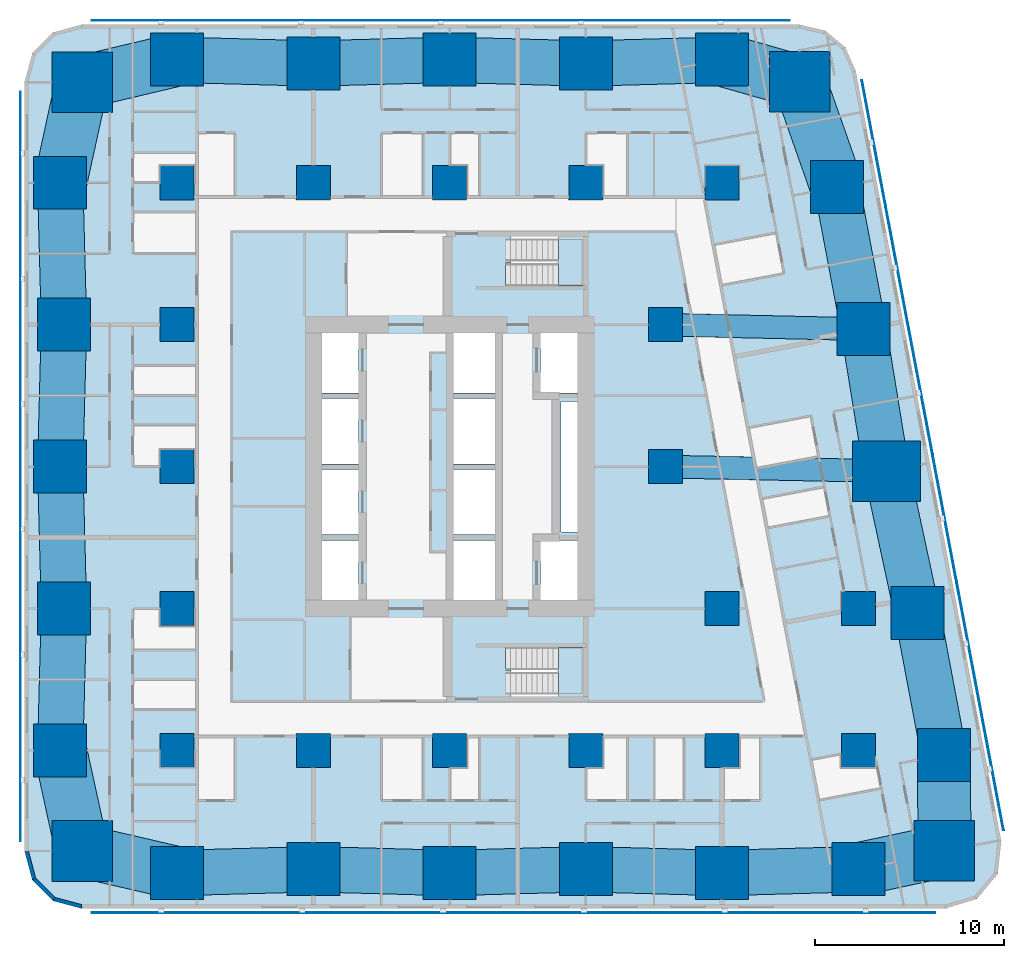
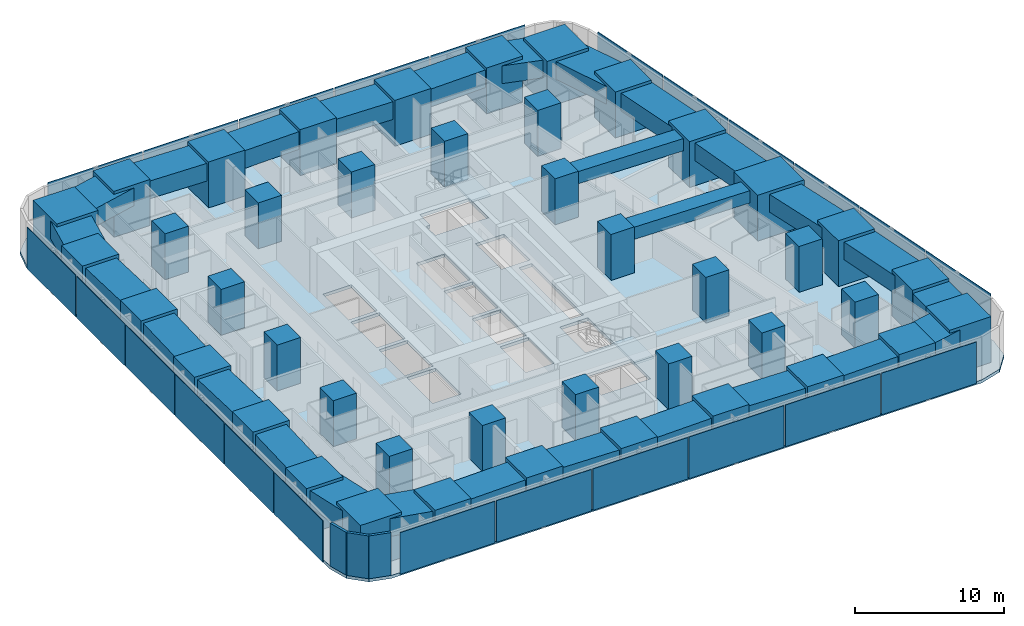
# One storey, part 1 of 18: 43 columns, 27 beams, 23 plates, 3 slabs, 3 walls, 2 elements without a shape of their own.
"""IFC4 building model written with IfcOpenShell, lengths in metres."""

from ifc_helpers import new_model, si_unit, direction, frame, frame_2d, origin, origin_2d, place, context, subcontext, project, spatial, polyline, rectangle, outline, extrude, material, layer, layer_set, material_profile, profile_set, type_object, element, aggregate, save


model = new_model("IFC4")

# Units and contexts
model_context = context("Model", 3, precision=1e-05, world=origin(), true_north=direction((0.0, 1.0)))
body_context = subcontext(model_context, "Body", "Model", "MODEL_VIEW")
ifc_project = project(units=[si_unit("LENGTHUNIT", "METRE"), si_unit("AREAUNIT", "SQUARE_METRE"), si_unit("VOLUMEUNIT", "CUBIC_METRE"), si_unit("PLANEANGLEUNIT", "RADIAN"), si_unit("MASSUNIT", "GRAM", prefix="KILO")], contexts=[model_context])

# Site, building, storey
site_placement = place(None, origin())
site = spatial("IfcSite", under=ifc_project, at=site_placement, CompositionType="ELEMENT")
building_placement = place(site_placement, origin())
building = spatial("IfcBuilding", under=site, at=building_placement, Name="Sheger Commons Tower", CompositionType="ELEMENT")
storey_placement = place(building_placement, frame((0.0, 0.0, 38.75)))
storey = spatial("IfcBuildingStorey", under=building, at=storey_placement, Name="L09", CompositionType="ELEMENT", Elevation=38.75)

# Columns
ifc_material_1 = material(Name="Concrete C50/60", Category="concrete")
ifc_material_profile_1 = material_profile(ifc_material_1, rectangle(XDim=3.60009765625, YDim=3.199951171875, at=origin_2d()), Name="RC 3600x3200")
ifc_profile_set_1 = profile_set([ifc_material_profile_1], Name="Concrete C50/60")
column_type_1 = type_object("IfcColumnType", Name="COLUMN PIER RC 3600x3200", PredefinedType="COLUMN", material=ifc_profile_set_1)
column_placement = place(storey_placement, frame((44.697021484375, 22.262939453125, 0.0), z_axis=(0.0, 0.0, 1.0), x_axis=(1.0, 0.0, 0.0)))
element("IfcColumn", 1, at=column_placement, inside=storey, type_object=column_type_1, Name="Pier 7/D+E/D L09", PredefinedType="COLUMN", context=body_context, shape_type="SweptSolid", body=[
    extrude(rectangle(XDim=3.60009765625, YDim=3.199951171875, at=origin_2d()), origin(), (0.0, 0.0, 1.0), 3.75),
])
ifc_material_2 = material(Name="Concrete C50/60", Category="concrete")
ifc_material_profile_2 = material_profile(ifc_material_2, rectangle(XDim=1.800048828125, YDim=1.800048828125, at=origin_2d()), Name="RC 1800x1800")
ifc_profile_set_2 = profile_set([ifc_material_profile_2], Name="Concrete C50/60")
column_type_2 = type_object("IfcColumnType", Name="COLUMN RC 1800x1800", PredefinedType="COLUMN", material=ifc_profile_set_2)
for number, where, z_axis, x_axis, name in (
    (2, (7.199951171875, 7.5, 0.0), (0.0, 0.0, 1.0), (1.0, 0.0, 0.0), "Column 2/B L09"),
    (3, (14.39990234375, 7.5, 0.0), (0.0, 0.0, 1.0), (1.0, 0.0, 0.0), "Column 3/B L09"),
    (4, (21.60009765625, 7.5, 0.0), (0.0, 0.0, 1.0), (1.0, 0.0, 0.0), "Column 4/B L09"),
    (5, (28.800048828125, 7.5, 0.0), (0.0, 0.0, 1.0), (1.0, 0.0, 0.0), "Column 5/B L09"),
    (6, (36.0, 7.5, 0.0), (0.0, 0.0, 1.0), (1.0, 0.0, 0.0), "Column 6/B L09"),
    (7, (43.199951171875, 7.5, 0.0), (0.0, 0.0, 1.0), (1.0, 0.0, 0.0), "Column 7/B L09"),
    (8, (7.199951171875, 15.0, 0.0), (0.0, 0.0, 1.0), (1.0, 0.0, 0.0), "Column 2/C L09"),
    (9, (36.0, 15.0, 0.0), (0.0, 0.0, 1.0), (1.0, 0.0, 0.0), "Column 6/C L09"),
    (10, (43.199951171875, 15.0, 0.0), (0.0, 0.0, 1.0), (1.0, 0.0, 0.0), "Column 7/C L09"),
    (11, (7.199951171875, 22.5, 0.0), (0.0, 0.0, 1.0), (1.0, 0.0, 0.0), "Column 2/D L09"),
    (12, (33.0, 22.5, 0.0), (0.0, 0.0, 1.0), (1.0, 0.0, 0.0), "Column 6-3000/D L09"),
    (13, (7.199951171875, 30.0, 0.0), (0.0, 0.0, 1.0), (1.0, 0.0, 0.0), "Column 2/E L09"),
    (14, (33.0, 30.0, 0.0), (0.0, 0.0, 1.0), (1.0, 0.0, 0.0), "Column 6-3000/E L09"),
    (15, (7.199951171875, 37.5, 0.0), (0.0, 0.0, 1.0), (1.0, 0.0, 0.0), "Column 2/F L09"),
    (16, (14.39990234375, 37.5, 0.0), (0.0, 0.0, 1.0), (1.0, 0.0, 0.0), "Column 3/F L09"),
    (17, (21.60009765625, 37.5, 0.0), (0.0, 0.0, 1.0), (1.0, 0.0, 0.0), "Column 4/F L09"),
    (18, (28.800048828125, 37.5, 0.0), (0.0, 0.0, 1.0), (1.0, 0.0, 0.0), "Column 5/F L09"),
    (19, (36.0, 37.5, 0.0), (0.0, 0.0, 1.0), (1.0, 0.0, 0.0), "Column 6/F L09"),
):
    element("IfcColumn", number, at=place(storey_placement, frame(where, z_axis=z_axis, x_axis=x_axis)), inside=storey, type_object=column_type_2, Name=name, PredefinedType="COLUMN", context=body_context, shape_type="SweptSolid", body=[
        extrude(rectangle(XDim=1.800048828125, YDim=1.800048828125, at=origin_2d()), origin(), (0.0, 0.0, 1.0), 3.75),
    ])
ifc_material_3 = material(Name="Concrete C50/60", Category="concrete")
ifc_material_profile_3 = material_profile(ifc_material_3, rectangle(XDim=2.800048828125, YDim=2.800048828125, at=origin_2d()), Name="RC 2800x2800")
ifc_profile_set_3 = profile_set([ifc_material_profile_3], Name="Concrete C50/60")
column_type_3 = type_object("IfcColumnType", Name="COLUMN RC 2800x2800", PredefinedType="COLUMN", material=ifc_profile_set_3)
for number, where, z_axis, x_axis, name in (
    (20, (7.199951171875, 1.02490234375, 0.0), (0.0, 0.0, 1.0), (1.0, 0.0, 0.0), "Column 2/A L09"),
    (21, (14.39990234375, 1.22509765625, 0.0), (0.0, 0.0, 1.0), (1.0, 0.0, 0.0), "Column 3/A L09"),
    (22, (21.60009765625, 1.02490234375, 0.0), (0.0, 0.0, 1.0), (1.0, 0.0, 0.0), "Column 4/A L09"),
    (23, (28.800048828125, 1.22509765625, 0.0), (0.0, 0.0, 1.0), (1.0, 0.0, 0.0), "Column 5/A L09"),
    (24, (36.0, 1.02490234375, 0.0), (0.0, 0.0, 1.0), (1.0, 0.0, 0.0), "Column 6/A L09"),
    (25, (43.199951171875, 1.22509765625, 0.0), (0.0, 0.0, 1.0), (1.0, 0.0, 0.0), "Column 7/A L09"),
    (26, (1.02490234375, 7.5, 0.0), (0.0, 0.0, 1.0), (1.0, 0.0, 0.0), "Column 1/B L09"),
    (27, (47.72998046875, 7.262939453125, 0.0), (0.0, 0.0, 1.0), (1.0, 0.0, 0.0), "Column E/B L09"),
    (28, (1.22509765625, 15.0, 0.0), (0.0, 0.0, 1.0), (1.0, 0.0, 0.0), "Column 1/C L09"),
    (29, (46.31396484375, 14.762939453125, 0.0), (0.0, 0.0, 1.0), (1.0, 0.0, 0.0), "Column E/C L09"),
    (30, (1.02490234375, 22.5, 0.0), (0.0, 0.0, 1.0), (1.0, 0.0, 0.0), "Column 1/D L09"),
    (31, (1.22509765625, 30.0, 0.0), (0.0, 0.0, 1.0), (1.0, 0.0, 0.0), "Column 1/E L09"),
    (32, (43.47998046875, 29.762939453125, 0.0), (0.0, 0.0, 1.0), (1.0, 0.0, 0.0), "Column E/E L09"),
    (33, (1.02490234375, 37.5, 0.0), (0.0, 0.0, 1.0), (1.0, 0.0, 0.0), "Column 1/F L09"),
    (34, (42.06396484375, 37.262939453125, 0.0), (0.0, 0.0, 1.0), (1.0, 0.0, 0.0), "Column E/F L09"),
    (35, (7.199951171875, 44.0, 0.0), (0.0, 0.0, 1.0), (1.0, 0.0, 0.0), "Column 2/G L09"),
    (36, (14.39990234375, 43.800048828125, 0.0), (0.0, 0.0, 1.0), (1.0, 0.0, 0.0), "Column 3/G L09"),
    (37, (21.60009765625, 44.0, 0.0), (0.0, 0.0, 1.0), (1.0, 0.0, 0.0), "Column 4/G L09"),
    (38, (28.800048828125, 43.800048828125, 0.0), (0.0, 0.0, 1.0), (1.0, 0.0, 0.0), "Column 5/G L09"),
    (39, (36.0, 44.0, 0.0), (0.0, 0.0, 1.0), (1.0, 0.0, 0.0), "Column 6/G L09"),
):
    element("IfcColumn", number, at=place(storey_placement, frame(where, z_axis=z_axis, x_axis=x_axis)), inside=storey, type_object=column_type_3, Name=name, PredefinedType="COLUMN", context=body_context, shape_type="SweptSolid", body=[
        extrude(rectangle(XDim=2.800048828125, YDim=2.800048828125, at=origin_2d()), origin(), (0.0, 0.0, 1.0), 3.75),
    ])
ifc_material_4 = material(Name="Concrete C50/60", Category="concrete")
ifc_material_profile_4 = material_profile(ifc_material_4, rectangle(XDim=3.199951171875, YDim=3.199951171875, at=origin_2d()), Name="RC 3200x3200")
ifc_profile_set_4 = profile_set([ifc_material_profile_4], Name="Concrete C50/60")
column_type_4 = type_object("IfcColumnType", Name="COLUMN RC 3200x3200", PredefinedType="COLUMN", material=ifc_profile_set_4)
for number, where, z_axis, x_axis, name in (
    (40, (2.18603515625, 2.18603515625, 0.0), (0.0, 0.0, 1.0), (1.0, 0.0, 0.0), "Column 0.630,0.630 L09"),
    (41, (47.748046875, 2.197021484375, 0.0), (0.0, 0.0, 1.0), (1.0, 0.0, 0.0), "Column 49.461,0.778 L09"),
    (42, (2.18603515625, 42.81396484375, 0.0), (0.0, 0.0, 1.0), (1.0, 0.0, 0.0), "Column 0.630,44.370 L09"),
    (43, (40.10205078125, 42.830078125, 0.0), (0.0, 0.0, 1.0), (1.0, 0.0, 0.0), "Column 41.490,44.505 L09"),
):
    element("IfcColumn", number, at=place(storey_placement, frame(where, z_axis=z_axis, x_axis=x_axis)), inside=storey, type_object=column_type_4, Name=name, PredefinedType="COLUMN", context=body_context, shape_type="SweptSolid", body=[
        extrude(rectangle(XDim=3.199951171875, YDim=3.199951171875, at=origin_2d()), origin(), (0.0, 0.0, 1.0), 3.75),
    ])

# Beams
ifc_material_5 = material(Name="Concrete C50/60", Category="concrete")
ifc_material_profile_5 = material_profile(ifc_material_5, rectangle(XDim=1.199951171875, YDim=1.0, at=origin_2d()), Name="RC 1200x1000")
ifc_profile_set_5 = profile_set([ifc_material_profile_5], Name="Concrete C50/60")
beam_type_1 = type_object("IfcBeamType", Name="BEAM RC 1200x1000", PredefinedType="BEAM", material=ifc_profile_set_5)
beam_1_placement = place(storey_placement, frame((33.0, 22.5, 3.0), z_axis=(0.999794692776, -0.02026258368, 0.0), x_axis=(0.02026258368, 0.999794692776, 0.0)))
element("IfcBeam", 44, at=beam_1_placement, inside=storey, type_object=beam_type_1, Name="Beam 6-3000/D-7/D under L10", PredefinedType="BEAM", context=body_context, shape_type="SweptSolid", body=[
    extrude(rectangle(XDim=1.199951171875, YDim=1.0, at=origin_2d()), origin(), (0.0, 0.0, 1.0), 11.699462890625),
])
beam_2_placement = place(storey_placement, frame((33.0, 30.0, 3.0), z_axis=(0.999744258625, -0.022614538395, 0.0), x_axis=(0.022614538395, 0.999744258625, 0.0)))
element("IfcBeam", 45, at=beam_2_placement, inside=storey, type_object=beam_type_1, Name="Beam 6-3000/E-E/E under L10", PredefinedType="BEAM", context=body_context, shape_type="SweptSolid", body=[
    extrude(rectangle(XDim=1.199951171875, YDim=1.0, at=origin_2d()), origin(), (0.0, 0.0, 1.0), 10.482666015625),
])
ifc_material_6 = material(Name="Concrete C50/60", Category="concrete")
ifc_material_profile_6 = material_profile(ifc_material_6, rectangle(XDim=2.39990234375, YDim=1.449951171875, at=origin_2d()), Name="RC 2400x1450")
ifc_profile_set_6 = profile_set([ifc_material_profile_6], Name="Concrete C50/60")
beam_type_2 = type_object("IfcBeamType", Name="SPANDREL RC 2400x1450", PredefinedType="SPANDREL", material=ifc_profile_set_6)
beam_3_placement = place(storey_placement, frame((7.199951171875, 1.02490234375, 2.77490234375), z_axis=(0.9996136624, 0.027794350926, 0.0), x_axis=(-0.027794350926, 0.9996136624, 0.0)))
element("IfcBeam", 46, at=beam_3_placement, inside=storey, type_object=beam_type_2, Name="Beam 2/A-3/A under L10", PredefinedType="SPANDREL", context=body_context, shape_type="SweptSolid", body=[
    extrude(rectangle(XDim=2.39990234375, YDim=1.449951171875, at=origin_2d()), origin(), (0.0, 0.0, 1.0), 7.20263671875),
])
beam_4_placement = place(storey_placement, frame((14.39990234375, 1.22509765625, 2.77490234375), z_axis=(0.999613688584, -0.027793409217, 0.0), x_axis=(0.027793409217, 0.999613688584, 0.0)))
element("IfcBeam", 47, at=beam_4_placement, inside=storey, type_object=beam_type_2, Name="Beam 3/A-4/A under L10", PredefinedType="SPANDREL", context=body_context, shape_type="SweptSolid", body=[
    extrude(rectangle(XDim=2.39990234375, YDim=1.449951171875, at=origin_2d()), origin(), (0.0, 0.0, 1.0), 7.202880859375),
])
for number, where, z_axis, x_axis, name in (
    (48, (21.60009765625, 1.02490234375, 2.77490234375), (0.9996136624, 0.027794350926, 0.0), (-0.027794350926, 0.9996136624, 0.0), "Beam 4/A-5/A under L10"),
    (49, (28.800048828125, 1.22509765625, 2.77490234375), (0.9996136624, -0.027794350926, 0.0), (0.027794350926, 0.9996136624, 0.0), "Beam 5/A-6/A under L10"),
    (50, (36.0, 1.02490234375, 2.77490234375), (0.9996136624, 0.027794350926, 0.0), (-0.027794350926, 0.9996136624, 0.0), "Beam 6/A-7/A under L10"),
):
    element("IfcBeam", number, at=place(storey_placement, frame(where, z_axis=z_axis, x_axis=x_axis)), inside=storey, type_object=beam_type_2, Name=name, PredefinedType="SPANDREL", context=body_context, shape_type="SweptSolid", body=[
        extrude(rectangle(XDim=2.39990234375, YDim=1.449951171875, at=origin_2d()), origin(), (0.0, 0.0, 1.0), 7.20263671875),
    ])
beam_5_placement = place(storey_placement, frame((47.72998046875, 7.262939453125, 2.77490234375), z_axis=(-0.18552441405, 0.982639655108, 0.0), x_axis=(-0.982639655108, -0.18552441405, 0.0)))
element("IfcBeam", 51, at=beam_5_placement, inside=storey, type_object=beam_type_2, Name="Beam E/B-E/C under L10", PredefinedType="SPANDREL", context=body_context, shape_type="SweptSolid", body=[
    extrude(rectangle(XDim=2.39990234375, YDim=1.449951171875, at=origin_2d()), origin(), (0.0, 0.0, 1.0), 7.632568359375),
])
beam_6_placement = place(storey_placement, frame((46.31396484375, 14.762939453125, 2.77490234375), z_axis=(-0.210750229323, 0.977539943348, 0.0), x_axis=(-0.977539943348, -0.210750229323, 0.0)))
element("IfcBeam", 52, at=beam_6_placement, inside=storey, type_object=beam_type_2, Name="Beam E/C-E/D under L10", PredefinedType="SPANDREL", context=body_context, shape_type="SweptSolid", body=[
    extrude(rectangle(XDim=2.39990234375, YDim=1.449951171875, at=origin_2d()), origin(), (0.0, 0.0, 1.0), 7.67236328125),
])
beam_7_placement = place(storey_placement, frame((44.697021484375, 22.262939453125, 2.77490234375), z_axis=(-0.160176929512, 0.987088319884, 0.0), x_axis=(-0.987088319884, -0.160176929512, 0.0)))
element("IfcBeam", 53, at=beam_7_placement, inside=storey, type_object=beam_type_2, Name="Beam E/D-E/E under L10", PredefinedType="SPANDREL", context=body_context, shape_type="SweptSolid", body=[
    extrude(rectangle(XDim=2.39990234375, YDim=1.449951171875, at=origin_2d()), origin(), (0.0, 0.0, 1.0), 7.59814453125),
])
beam_8_placement = place(storey_placement, frame((43.47998046875, 29.762939453125, 2.77490234375), z_axis=(-0.18552441405, 0.982639655108, 0.0), x_axis=(-0.982639655108, -0.18552441405, 0.0)))
element("IfcBeam", 54, at=beam_8_placement, inside=storey, type_object=beam_type_2, Name="Beam E/E-E/F under L10", PredefinedType="SPANDREL", context=body_context, shape_type="SweptSolid", body=[
    extrude(rectangle(XDim=2.39990234375, YDim=1.449951171875, at=origin_2d()), origin(), (0.0, 0.0, 1.0), 7.632568359375),
])
for number, where, z_axis, x_axis, name in (
    (55, (36.0, 44.0, 2.77490234375), (-0.999614603568, -0.027760481514, 0.0), (0.027760481514, -0.999614603568, 0.0), "Beam 6/G-5/G under L10"),
    (56, (28.800048828125, 43.800048828125, 2.77490234375), (-0.999614603568, 0.027760481514, 0.0), (-0.027760481514, -0.999614603568, 0.0), "Beam 5/G-4/G under L10"),
):
    element("IfcBeam", number, at=place(storey_placement, frame(where, z_axis=z_axis, x_axis=x_axis)), inside=storey, type_object=beam_type_2, Name=name, PredefinedType="SPANDREL", context=body_context, shape_type="SweptSolid", body=[
        extrude(rectangle(XDim=2.39990234375, YDim=1.449951171875, at=origin_2d()), origin(), (0.0, 0.0, 1.0), 7.20263671875),
    ])
beam_9_placement = place(storey_placement, frame((21.60009765625, 44.0, 2.77490234375), z_axis=(-0.999614629688, -0.027759540951, 0.0), x_axis=(0.027759540951, -0.999614629688, 0.0)))
element("IfcBeam", 57, at=beam_9_placement, inside=storey, type_object=beam_type_2, Name="Beam 4/G-3/G under L10", PredefinedType="SPANDREL", context=body_context, shape_type="SweptSolid", body=[
    extrude(rectangle(XDim=2.39990234375, YDim=1.449951171875, at=origin_2d()), origin(), (0.0, 0.0, 1.0), 7.202880859375),
])
beam_10_placement = place(storey_placement, frame((14.39990234375, 43.800048828125, 2.77490234375), z_axis=(-0.999614603568, 0.027760481514, 0.0), x_axis=(-0.027760481514, -0.999614603568, 0.0)))
element("IfcBeam", 58, at=beam_10_placement, inside=storey, type_object=beam_type_2, Name="Beam 3/G-2/G under L10", PredefinedType="SPANDREL", context=body_context, shape_type="SweptSolid", body=[
    extrude(rectangle(XDim=2.39990234375, YDim=1.449951171875, at=origin_2d()), origin(), (0.0, 0.0, 1.0), 7.20263671875),
])
for number, where, z_axis, x_axis, name in (
    (59, (1.02490234375, 37.5, 2.77490234375), (0.026683204125, -0.999643939919, 0.0), (0.999643939919, 0.026683204125, 0.0), "Beam 1/F-1/E under L10"),
    (60, (1.22509765625, 30.0, 2.77490234375), (-0.026683204125, -0.999643939919, 0.0), (0.999643939919, -0.026683204125, 0.0), "Beam 1/E-1/D under L10"),
    (61, (1.02490234375, 22.5, 2.77490234375), (0.026683204125, -0.999643939919, 0.0), (0.999643939919, 0.026683204125, 0.0), "Beam 1/D-1/C under L10"),
    (62, (1.22509765625, 15.0, 2.77490234375), (-0.026683204125, -0.999643939919, 0.0), (0.999643939919, -0.026683204125, 0.0), "Beam 1/C-1/B under L10"),
):
    element("IfcBeam", number, at=place(storey_placement, frame(where, z_axis=z_axis, x_axis=x_axis)), inside=storey, type_object=beam_type_2, Name=name, PredefinedType="SPANDREL", context=body_context, shape_type="SweptSolid", body=[
        extrude(rectangle(XDim=2.39990234375, YDim=1.449951171875, at=origin_2d()), origin(), (0.0, 0.0, 1.0), 7.502685546875),
    ])
ifc_material_7 = material(Name="Concrete C50/60", Category="concrete")
ifc_material_profile_7 = material_profile(ifc_material_7, rectangle(XDim=2.800048828125, YDim=1.449951171875, at=origin_2d()), Name="RC 2800x1450")
ifc_profile_set_7 = profile_set([ifc_material_profile_7], Name="Concrete C50/60")
beam_type_3 = type_object("IfcBeamType", Name="SPANDREL RC 2800x1450", PredefinedType="SPANDREL", material=ifc_profile_set_7)
beam_11_placement = place(storey_placement, frame((2.18603515625, 2.18603515625, 2.77490234375), z_axis=(0.974217413499, -0.225611239159, 0.0), x_axis=(0.225611239159, 0.974217413499, 0.0)))
element("IfcBeam", 63, at=beam_11_placement, inside=storey, type_object=beam_type_3, Name="Beam 0.630,0.630-2/A under L10", PredefinedType="SPANDREL", context=body_context, shape_type="SweptSolid", body=[
    extrude(rectangle(XDim=2.800048828125, YDim=1.449951171875, at=origin_2d()), origin(), (0.0, 0.0, 1.0), 5.146728515625),
])
beam_12_placement = place(storey_placement, frame((43.199951171875, 1.22509765625, 2.77490234375), z_axis=(0.977919796671, 0.208980552394, 0.0), x_axis=(-0.208980552394, 0.977919796671, 0.0)))
element("IfcBeam", 64, at=beam_12_placement, inside=storey, type_object=beam_type_3, Name="Beam 7/A-49.461,0.778 under L10", PredefinedType="SPANDREL", context=body_context, shape_type="SweptSolid", body=[
    extrude(rectangle(XDim=2.800048828125, YDim=1.449951171875, at=origin_2d()), origin(), (0.0, 0.0, 1.0), 4.65087890625),
])
beam_13_placement = place(storey_placement, frame((47.748046875, 2.197021484375, 2.77490234375), z_axis=(-0.003566242382, 0.999993640937, 0.0), x_axis=(-0.999993640937, -0.003566242382, 0.0)))
element("IfcBeam", 65, at=beam_13_placement, inside=storey, type_object=beam_type_3, Name="Beam 49.461,0.778-E/B under L10", PredefinedType="SPANDREL", context=body_context, shape_type="SweptSolid", body=[
    extrude(rectangle(XDim=2.800048828125, YDim=1.449951171875, at=origin_2d()), origin(), (0.0, 0.0, 1.0), 5.06591796875),
])
beam_14_placement = place(storey_placement, frame((42.06396484375, 37.262939453125, 2.77490234375), z_axis=(-0.332374403357, 0.943147526102, 0.0), x_axis=(-0.943147526102, -0.332374403357, 0.0)))
element("IfcBeam", 66, at=beam_14_placement, inside=storey, type_object=beam_type_3, Name="Beam E/F-41.490,44.505 under L10", PredefinedType="SPANDREL", context=body_context, shape_type="SweptSolid", body=[
    extrude(rectangle(XDim=2.800048828125, YDim=1.449951171875, at=origin_2d()), origin(), (0.0, 0.0, 1.0), 5.90283203125),
])
beam_15_placement = place(storey_placement, frame((40.10205078125, 42.830078125, 2.77490234375), z_axis=(-0.961653428129, 0.274267541221, 0.0), x_axis=(-0.274267541221, -0.961653428129, 0.0)))
element("IfcBeam", 67, at=beam_15_placement, inside=storey, type_object=beam_type_3, Name="Beam 41.490,44.505-6/G under L10", PredefinedType="SPANDREL", context=body_context, shape_type="SweptSolid", body=[
    extrude(rectangle(XDim=2.800048828125, YDim=1.449951171875, at=origin_2d()), origin(), (0.0, 0.0, 1.0), 4.265625),
])
beam_16_placement = place(storey_placement, frame((7.199951171875, 44.0, 2.77490234375), z_axis=(-0.97314428949, -0.230195985701, 0.0), x_axis=(0.230195985701, -0.97314428949, 0.0)))
element("IfcBeam", 68, at=beam_16_placement, inside=storey, type_object=beam_type_3, Name="Beam 2/G-0.630,44.370 under L10", PredefinedType="SPANDREL", context=body_context, shape_type="SweptSolid", body=[
    extrude(rectangle(XDim=2.800048828125, YDim=1.449951171875, at=origin_2d()), origin(), (0.0, 0.0, 1.0), 5.15234375),
])
for number, where, z_axis, x_axis, name in (
    (69, (2.18603515625, 42.81396484375, 2.77490234375), (-0.213469314652, -0.976949769283, 0.0), (0.976949769283, -0.213469314652, 0.0), "Beam 0.630,44.370-1/F under L10"),
    (70, (1.02490234375, 7.5, 2.77490234375), (0.213469314652, -0.976949769283, 0.0), (0.976949769283, 0.213469314652, 0.0), "Beam 1/B-0.630,0.630 under L10"),
):
    element("IfcBeam", number, at=place(storey_placement, frame(where, z_axis=z_axis, x_axis=x_axis)), inside=storey, type_object=beam_type_3, Name=name, PredefinedType="SPANDREL", context=body_context, shape_type="SweptSolid", body=[
        extrude(rectangle(XDim=2.800048828125, YDim=1.449951171875, at=origin_2d()), origin(), (0.0, 0.0, 1.0), 5.439453125),
    ])

# Slab
ifc_material_8 = material(Name="Concrete C35/45", Category="concrete")
ifc_layer_1 = layer(ifc_material_8, 0.25)
ifc_layer_set_1 = layer_set([ifc_layer_1], Name="SLAB FLOOR 250")
slab_type_1 = type_object("IfcSlabType", Name="SLAB FLOOR 250", PredefinedType="FLOOR", material=ifc_layer_set_1)
slab_1_placement = place(storey_placement, frame((0.0, 0.0, -0.25)))
element("IfcSlab", 71, at=slab_1_placement, inside=storey, type_object=slab_type_1, Name="L09 floor slab", PredefinedType="FLOOR", context=body_context, shape_type="SweptSolid", body=[
    extrude(outline(polyline([(-0.85009765625, 2.14990234375), (-0.447998046875, 0.64990234375), (0.64990234375, -0.447998046875), (2.14990234375, -0.85009765625), (47.805908203125, -0.85009765625), (49.465087890625, -0.35009765625), (50.570068359375, 0.98388671875), (50.75390625, 2.70703125), (43.06591796875, 43.406982421875), (42.509033203125, 44.660888671875), (41.452880859375, 45.535888671875), (40.117919921875, 45.85009765625), (2.14990234375, 45.85009765625), (0.64990234375, 45.447998046875), (-0.447998046875, 44.35009765625), (-0.85009765625, 42.85009765625), (-0.85009765625, 2.14990234375)]), holes=[polyline([(24.85009765625, 10.35009765625), (28.64990234375, 10.35009765625), (28.64990234375, 12.949951171875), (24.551025390625, 12.949951171875), (24.551025390625, 11.75), (24.85009765625, 11.75), (24.85009765625, 10.35009765625)]), polyline([(24.551025390625, 32.050048828125), (28.64990234375, 32.050048828125), (28.64990234375, 34.64990234375), (24.85009765625, 34.64990234375), (24.85009765625, 33.25), (24.551025390625, 33.25), (24.551025390625, 32.050048828125)]), polyline([(26.39990234375, 15.14990234375), (28.60009765625, 15.14990234375), (28.60009765625, 18.60009765625), (26.39990234375, 18.60009765625), (26.39990234375, 15.14990234375)]), polyline([(26.39990234375, 26.39990234375), (28.60009765625, 26.39990234375), (28.60009765625, 29.85009765625), (26.39990234375, 29.85009765625), (26.39990234375, 26.39990234375)]), polyline([(14.60009765625, 15.14990234375), (16.800048828125, 15.14990234375), (16.800048828125, 18.60009765625), (14.60009765625, 18.60009765625), (14.60009765625, 15.14990234375)]), polyline([(14.60009765625, 18.89990234375), (16.800048828125, 18.89990234375), (16.800048828125, 22.35009765625), (14.60009765625, 22.35009765625), (14.60009765625, 18.89990234375)]), polyline([(14.60009765625, 22.64990234375), (16.800048828125, 22.64990234375), (16.800048828125, 26.10009765625), (14.60009765625, 26.10009765625), (14.60009765625, 22.64990234375)]), polyline([(14.60009765625, 26.39990234375), (16.800048828125, 26.39990234375), (16.800048828125, 29.85009765625), (14.60009765625, 29.85009765625), (14.60009765625, 26.39990234375)]), polyline([(21.800048828125, 15.14990234375), (24.0, 15.14990234375), (24.0, 18.60009765625), (21.800048828125, 18.60009765625), (21.800048828125, 15.14990234375)]), polyline([(21.800048828125, 18.89990234375), (24.0, 18.89990234375), (24.0, 22.35009765625), (21.800048828125, 22.35009765625), (21.800048828125, 18.89990234375)]), polyline([(21.800048828125, 22.64990234375), (24.0, 22.64990234375), (24.0, 26.10009765625), (21.800048828125, 26.10009765625), (21.800048828125, 22.64990234375)]), polyline([(21.800048828125, 26.39990234375), (24.0, 26.39990234375), (24.0, 29.85009765625), (21.800048828125, 29.85009765625), (21.800048828125, 26.39990234375)]), polyline([(27.5, 19.050048828125), (28.5, 19.050048828125), (28.5, 25.949951171875), (27.5, 25.949951171875), (27.5, 19.050048828125)])]), origin(), (0.0, 0.0, 1.0), 0.25),
])

# Plates
ifc_material_9 = material(Name="Perforated black anodised aluminium screen", Category="aluminium")
ifc_layer_2 = layer(ifc_material_9, 0.050048828125)
ifc_layer_set_2 = layer_set([ifc_layer_2], Name="SOLAR SCREEN SCREEN-1")
plate_type = type_object("IfcPlateType", Name="SOLAR SCREEN SCREEN-1", PredefinedType="USERDEFINED", material=ifc_layer_set_2)
for number, where, z_axis, x_axis, name in (
    (72, (6.37109375, -1.074951171875, 0.050048828125), (0.0, 0.0, 1.0), (1.0, 0.0, 0.0), "Perforated solar screen panel"),
    (73, (13.81396484375, -1.074951171875, 0.050048828125), (0.0, 0.0, 1.0), (1.0, 0.0, 0.0), "Perforated solar screen panel"),
    (74, (21.257080078125, -1.074951171875, 0.050048828125), (0.0, 0.0, 1.0), (1.0, 0.0, 0.0), "Perforated solar screen panel"),
    (75, (28.698974609375, -1.074951171875, 0.050048828125), (0.0, 0.0, 1.0), (1.0, 0.0, 0.0), "Perforated solar screen panel"),
    (76, (36.14208984375, -1.074951171875, 0.050048828125), (0.0, 0.0, 1.0), (1.0, 0.0, 0.0), "Perforated solar screen panel"),
    (77, (43.5849609375, -1.074951171875, 0.050048828125), (0.0, 0.0, 1.0), (1.0, 0.0, 0.0), "Perforated solar screen panel"),
):
    element("IfcPlate", number, at=place(storey_placement, frame(where, z_axis=z_axis, x_axis=x_axis)), inside=storey, type_object=plate_type, Name=name, ObjectType="SCREEN", PredefinedType="USERDEFINED", context=body_context, shape_type="SweptSolid", body=[
        extrude(rectangle(XDim=7.343017578125, YDim=0.050048828125, at=origin_2d()), origin(), (0.0, 0.0, 1.0), 3.39990234375),
    ])
for number, where, z_axis, x_axis, name in (
    (78, (50.257080078125, 6.550048828125, 0.050048828125), (0.0, 0.0, 1.0), (-0.185615165645, 0.982622516678, 0.0), "Perforated solar screen panel"),
    (79, (49.007080078125, 13.1689453125, 0.050048828125), (0.0, 0.0, 1.0), (-0.185615165645, 0.982622516678, 0.0), "Perforated solar screen panel"),
    (80, (47.756103515625, 19.7890625, 0.050048828125), (0.0, 0.0, 1.0), (-0.185615165645, 0.982622516678, 0.0), "Perforated solar screen panel"),
    (81, (46.506103515625, 26.408935546875, 0.050048828125), (0.0, 0.0, 1.0), (-0.185615165645, 0.982622516678, 0.0), "Perforated solar screen panel"),
    (82, (45.2548828125, 33.028076171875, 0.050048828125), (0.0, 0.0, 1.0), (-0.185615165645, 0.982622516678, 0.0), "Perforated solar screen panel"),
    (83, (44.0048828125, 39.64794921875, 0.050048828125), (0.0, 0.0, 1.0), (-0.185615165645, 0.982622516678, 0.0), "Perforated solar screen panel"),
):
    element("IfcPlate", number, at=place(storey_placement, frame(where, z_axis=z_axis, x_axis=x_axis)), inside=storey, type_object=plate_type, Name=name, ObjectType="SCREEN", PredefinedType="USERDEFINED", context=body_context, shape_type="SweptSolid", body=[
        extrude(rectangle(XDim=6.636962890625, YDim=0.050048828125, at=origin_2d()), origin(), (0.0, 0.0, 1.0), 3.39990234375),
    ])
for number, where, z_axis, x_axis, name in (
    (84, (35.9208984375, 46.074951171875, 0.050048828125), (0.0, 0.0, 1.0), (-1.0, 0.0, 0.0), "Perforated solar screen panel"),
    (85, (28.528076171875, 46.074951171875, 0.050048828125), (0.0, 0.0, 1.0), (-1.0, 0.0, 0.0), "Perforated solar screen panel"),
    (86, (21.134033203125, 46.074951171875, 0.050048828125), (0.0, 0.0, 1.0), (-1.0, 0.0, 0.0), "Perforated solar screen panel"),
    (87, (13.739990234375, 46.074951171875, 0.050048828125), (0.0, 0.0, 1.0), (-1.0, 0.0, 0.0), "Perforated solar screen panel"),
    (88, (6.346923828125, 46.074951171875, 0.050048828125), (0.0, 0.0, 1.0), (-1.0, 0.0, 0.0), "Perforated solar screen panel"),
):
    element("IfcPlate", number, at=place(storey_placement, frame(where, z_axis=z_axis, x_axis=x_axis)), inside=storey, type_object=plate_type, Name=name, ObjectType="SCREEN", PredefinedType="USERDEFINED", context=body_context, shape_type="SweptSolid", body=[
        extrude(rectangle(XDim=7.2939453125, YDim=0.050048828125, at=origin_2d()), origin(), (0.0, 0.0, 1.0), 3.39990234375),
    ])
for number, where, z_axis, x_axis, name in (
    (89, (-1.074951171875, 39.0419921875, 0.050048828125), (0.0, 0.0, 1.0), (0.0, -1.0, 0.0), "Perforated solar screen panel"),
    (90, (-1.074951171875, 32.425048828125, 0.050048828125), (0.0, 0.0, 1.0), (0.0, -1.0, 0.0), "Perforated solar screen panel"),
    (91, (-1.074951171875, 25.80810546875, 0.050048828125), (0.0, 0.0, 1.0), (0.0, -1.0, 0.0), "Perforated solar screen panel"),
    (92, (-1.074951171875, 19.19189453125, 0.050048828125), (0.0, 0.0, 1.0), (0.0, -1.0, 0.0), "Perforated solar screen panel"),
    (93, (-1.074951171875, 12.574951171875, 0.050048828125), (0.0, 0.0, 1.0), (0.0, -1.0, 0.0), "Perforated solar screen panel"),
    (94, (-1.074951171875, 5.9580078125, 0.050048828125), (0.0, 0.0, 1.0), (0.0, -1.0, 0.0), "Perforated solar screen panel"),
):
    element("IfcPlate", number, at=place(storey_placement, frame(where, z_axis=z_axis, x_axis=x_axis)), inside=storey, type_object=plate_type, Name=name, ObjectType="SCREEN", PredefinedType="USERDEFINED", context=body_context, shape_type="SweptSolid", body=[
        extrude(rectangle(XDim=6.51708984375, YDim=0.050048828125, at=origin_2d()), origin(), (0.0, 0.0, 1.0), 3.39990234375),
    ])

# Stair, slab
ifc_material_10 = material(Name="Concrete C35/45", Category="concrete")
stair_type = type_object("IfcStairType", Name="HALF-TURN STAIR 1200 RISE 3750", PredefinedType="HALF_TURN_STAIR", material=ifc_material_10)
stair_1_placement = place(storey_placement, origin())
stair_1 = element("IfcStair", 95, at=stair_1_placement, inside=storey, type_object=stair_type, Name="Stair S1 L09", PredefinedType="HALF_TURN_STAIR")
ifc_material_11 = material(Name="Concrete C35/45", Category="concrete")
ifc_layer_3 = layer(ifc_material_11, 0.199951171875)
ifc_layer_set_3 = layer_set([ifc_layer_3], Name="STAIR LANDING 200")
slab_type_2 = type_object("IfcSlabType", Name="STAIR LANDING 200", PredefinedType="LANDING", material=ifc_layer_set_3)
slab_2_placement = place(storey_placement, frame((0.0, 0.0, 1.675048828125)))
slab_2 = element("IfcSlab", 96, at=slab_2_placement, type_object=slab_type_2, Name="S1 landing 1", PredefinedType="LANDING", context=body_context, shape_type="SweptSolid", body=[
    extrude(outline(polyline([(27.35009765625, 10.199951171875), (28.800048828125, 10.199951171875), (28.800048828125, 12.949951171875), (27.35009765625, 12.949951171875), (27.35009765625, 10.199951171875)])), origin(), (0.0, 0.0, 1.0), 0.199951171875),
])
aggregate(stair_1, [slab_2])

stair_2_placement = place(storey_placement, origin())
stair_2 = element("IfcStair", 97, at=stair_2_placement, inside=storey, type_object=stair_type, Name="Stair S2 L09", PredefinedType="HALF_TURN_STAIR")
slab_3_placement = place(storey_placement, frame((0.0, 0.0, 1.675048828125)))
slab_3 = element("IfcSlab", 98, at=slab_3_placement, type_object=slab_type_2, Name="S2 landing 1", PredefinedType="LANDING", context=body_context, shape_type="SweptSolid", body=[
    extrude(outline(polyline([(27.35009765625, 32.050048828125), (28.800048828125, 32.050048828125), (28.800048828125, 34.800048828125), (27.35009765625, 34.800048828125), (27.35009765625, 32.050048828125)])), origin(), (0.0, 0.0, 1.0), 0.199951171875),
])
aggregate(stair_2, [slab_3])

# Walls
ifc_material_12 = material(Name="Rendered concrete block masonry, dark grey", Category="masonry")
ifc_layer_4 = layer(ifc_material_12, 0.199951171875)
ifc_layer_set_4 = layer_set([ifc_layer_4], Name="FACADE WALL 200")
wall_type = type_object("IfcWallType", Name="FACADE WALL 200", PredefinedType="SOLIDWALL", material=ifc_layer_set_4)
wall_1_placement = place(storey_placement, frame((-0.75, 2.1630859375, 0.0), z_axis=(0.0, 0.0, 1.0), x_axis=(0.259168954497, -0.965832000415, 0.0)))
element("IfcWall", 99, at=wall_1_placement, inside=storey, type_object=wall_type, Name="Facade wall L09", PredefinedType="SOLIDWALL", context=body_context, shape_type="SweptSolid", body=[
    extrude(rectangle(XDim=1.512939453125, YDim=0.199951171875, at=frame_2d((0.75634765625, 0.0))), origin(), (0.0, 0.0, 1.0), 3.5),
])
wall_2_placement = place(storey_placement, frame((-0.35791015625, 0.701904296875, 0.0), z_axis=(0.0, 0.0, 1.0), x_axis=(0.707106781187, -0.707106781187, 0.0)))
element("IfcWall", 100, at=wall_2_placement, inside=storey, type_object=wall_type, Name="Facade wall L09", PredefinedType="SOLIDWALL", context=body_context, shape_type="SweptSolid", body=[
    extrude(rectangle(XDim=1.498779296875, YDim=0.199951171875, at=frame_2d((0.74951171875, 0.0))), origin(), (0.0, 0.0, 1.0), 3.5),
])
wall_3_placement = place(storey_placement, frame((0.701904296875, -0.35791015625, 0.0), z_axis=(0.0, 0.0, 1.0), x_axis=(0.965832000415, -0.259168954497, 0.0)))
element("IfcWall", 101, at=wall_3_placement, inside=storey, type_object=wall_type, Name="Facade wall L09", PredefinedType="SOLIDWALL", context=body_context, shape_type="SweptSolid", body=[
    extrude(rectangle(XDim=1.512939453125, YDim=0.199951171875, at=frame_2d((0.75634765625, 0.0))), origin(), (0.0, 0.0, 1.0), 3.5),
])

save(model, "model.ifc")
